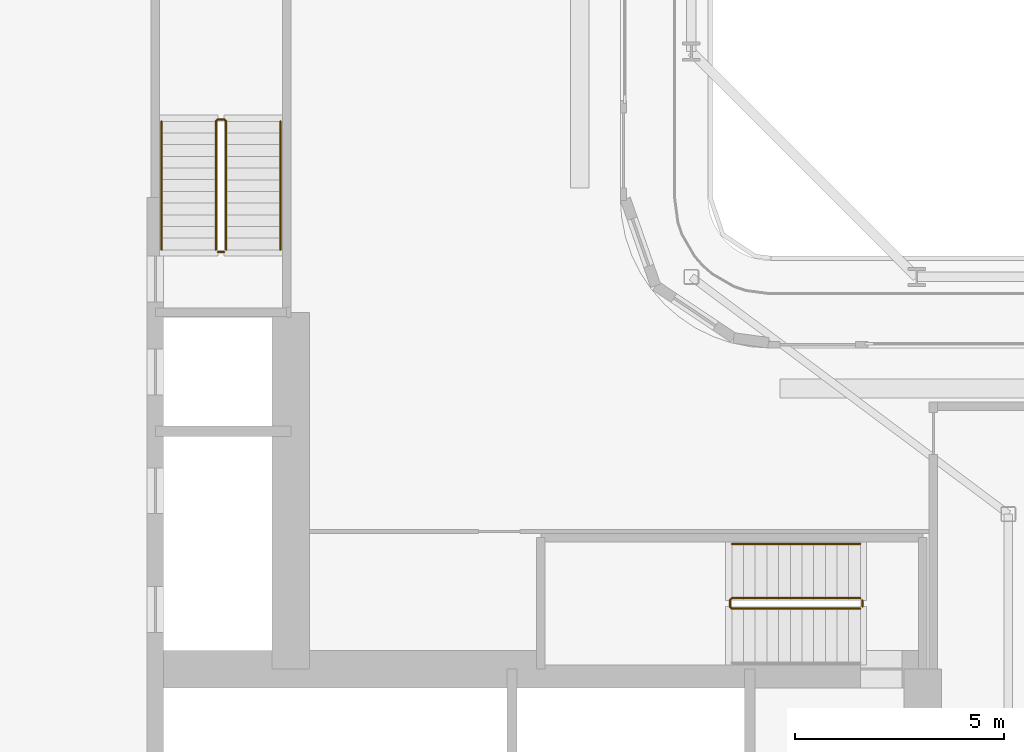
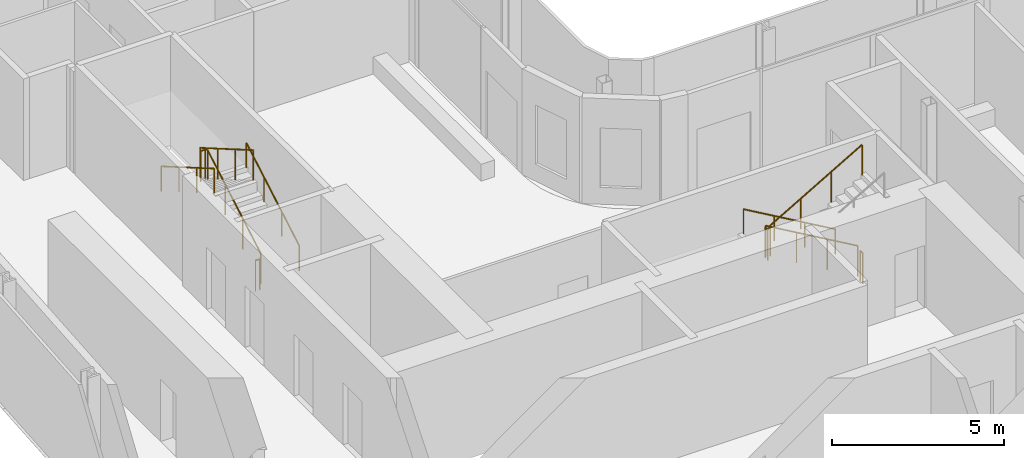
# One storey, part 24 of 29: 7 railings.
"""IFC4 building model written with IfcOpenShell, lengths in metres."""

from ifc_helpers import new_model, si_unit, direction, frame, origin, origin_2d, place, context, subcontext, project, spatial, circle, extrude, material, type_object, element, save


model = new_model("IFC4")

# Units and contexts
model_context = context("Model", 3, precision=1e-05, world=origin(), true_north=direction((0.0, 1.0)))
body_context = subcontext(model_context, "Body", "Model", "MODEL_VIEW")
ifc_project = project(units=[si_unit("LENGTHUNIT", "METRE"), si_unit("AREAUNIT", "SQUARE_METRE"), si_unit("VOLUMEUNIT", "CUBIC_METRE"), si_unit("PLANEANGLEUNIT", "RADIAN"), si_unit("MASSUNIT", "GRAM", prefix="KILO")], contexts=[model_context])

# Site, building, storey
site_placement = place(None, origin())
site = spatial("IfcSite", under=ifc_project, at=site_placement, CompositionType="ELEMENT")
building_placement = place(site_placement, origin())
building = spatial("IfcBuilding", under=site, at=building_placement, Name="Kheshtan School and Residences Tower", CompositionType="ELEMENT")
storey_placement = place(building_placement, frame((0.0, 0.0, 121.39990234375)))
storey = spatial("IfcBuildingStorey", under=building, at=storey_placement, Name="L28", CompositionType="ELEMENT", Elevation=121.39990234375)

# Railings
ifc_material_1 = material(Name="Stainless steel balustrade", Category="steel")
railing_type_1 = type_object("IfcRailingType", Name="Stair guard 1100", PredefinedType="GUARDRAIL", material=ifc_material_1)
railing_1_placement = place(storey_placement, frame((51.64990234375, 37.89990234375, 0.16259765625)))
element("IfcRailing", 1, at=railing_1_placement, inside=storey, type_object=railing_type_1, Name="L28 ST1 stair guard 1", PredefinedType="GUARDRAIL", context=body_context, shape_type="SweptSolid", body=[
    extrude(circle(Radius=0.02392578125, at=origin_2d()), frame((0.0, 0.0, 1.076171875), z_axis=(-0.864873446163, 0.0, 0.501989962173), x_axis=(0.0, -1.0, 0.0)), (0.0, 0.0, 1.0), 3.56103515625),
    extrude(circle(Radius=0.02392578125, at=origin_2d()), frame((-3.079833984375, 0.0, 2.86376953125), z_axis=(-0.708833529934, -0.705375805398, 0.0), x_axis=(0.705375805398, -0.708833529934, 0.0)), (0.0, 0.0, 1.0), 0.070556640625),
    extrude(circle(Radius=0.02392578125, at=origin_2d()), frame((-3.1298828125, -0.0498046875, 2.86376953125), z_axis=(0.0, -1.0, 0.0), x_axis=(1.0, 0.0, 0.0)), (0.0, 0.0, 1.0), 0.150146484375),
    extrude(circle(Radius=0.02392578125, at=origin_2d()), frame((-3.1298828125, -0.199951171875, 2.86376953125), z_axis=(0.282583949758, -0.282583949758, 0.916674763849), x_axis=(0.707106781187, 0.707106781187, 0.0)), (0.0, 0.0, 1.0), 0.177001953125),
    extrude(circle(Radius=0.02392578125, at=origin_2d()), frame((-3.079833984375, -0.25, 3.02587890625), z_axis=(0.864873446163, 0.0, 0.501989962173), x_axis=(0.0, 1.0, 0.0)), (0.0, 0.0, 1.0), 3.56103515625),
    extrude(circle(Radius=0.02099609375, at=origin_2d()), origin(), (0.0, 0.0, 1.0), 1.052001953125),
    extrude(circle(Radius=0.02099609375, at=origin_2d()), frame((-1.026611328125, 0.0, 0.595947265625)), (0.0, 0.0, 1.0), 1.052001953125),
    extrude(circle(Radius=0.02099609375, at=origin_2d()), frame((-2.05322265625, 0.0, 1.191650390625)), (0.0, 0.0, 1.0), 1.052001953125),
    extrude(circle(Radius=0.02099609375, at=origin_2d()), frame((-3.079833984375, 0.0, 1.78759765625)), (0.0, 0.0, 1.0), 1.052001953125),
    extrude(circle(Radius=0.02099609375, at=origin_2d()), frame((-3.1298828125, -0.0498046875, 1.78759765625)), (0.0, 0.0, 1.0), 1.052001953125),
    extrude(circle(Radius=0.02099609375, at=origin_2d()), frame((-3.1298828125, -0.199951171875, 1.78759765625)), (0.0, 0.0, 1.0), 1.052001953125),
    extrude(circle(Radius=0.02099609375, at=origin_2d()), frame((-3.079833984375, -0.25, 1.949951171875)), (0.0, 0.0, 1.0), 1.052001953125),
    extrude(circle(Radius=0.02099609375, at=origin_2d()), frame((-2.05322265625, -0.25, 2.5458984375)), (0.0, 0.0, 1.0), 1.052001953125),
    extrude(circle(Radius=0.02099609375, at=origin_2d()), frame((-1.026611328125, -0.25, 3.1416015625)), (0.0, 0.0, 1.0), 1.052001953125),
    extrude(circle(Radius=0.02099609375, at=origin_2d()), frame((0.0, -0.25, 3.737548828125)), (0.0, 0.0, 1.0), 1.052001953125),
])
railing_2_placement = place(storey_placement, frame((51.699951171875, 37.85009765625, 0.0)))
element("IfcRailing", 2, at=railing_2_placement, inside=storey, type_object=railing_type_1, Name="L28 ST1 stair guard 2", PredefinedType="GUARDRAIL", context=body_context, shape_type="SweptSolid", body=[
    extrude(circle(Radius=0.02392578125, at=origin_2d()), frame((0.0, 0.0, 1.076171875), z_axis=(0.0, -1.0, 0.0), x_axis=(1.0, 0.0, 0.0)), (0.0, 0.0, 1.0), 0.150146484375),
    extrude(circle(Radius=0.02099609375, at=origin_2d()), origin(), (0.0, 0.0, 1.0), 1.052001953125),
    extrude(circle(Radius=0.02099609375, at=origin_2d()), frame((0.0, -0.150146484375, 0.0)), (0.0, 0.0, 1.0), 1.052001953125),
])
railing_3_placement = place(storey_placement, frame((36.449951171875, 46.25, 0.16259765625)))
element("IfcRailing", 3, at=railing_3_placement, inside=storey, type_object=railing_type_1, Name="L28 ST2 stair guard 1", PredefinedType="GUARDRAIL", context=body_context, shape_type="SweptSolid", body=[
    extrude(circle(Radius=0.02392578125, at=origin_2d()), frame((0.0, 0.0, 1.076171875), z_axis=(0.0, 0.864890721111, 0.501960198159), x_axis=(-1.0, 0.0, 0.0)), (0.0, 0.0, 1.0), 3.561279296875),
    extrude(circle(Radius=0.02392578125, at=origin_2d()), frame((0.0, 3.080078125, 2.86376953125), z_axis=(-0.708833529934, 0.705375805398, 0.0), x_axis=(-0.705375805398, -0.708833529934, 0.0)), (0.0, 0.0, 1.0), 0.070556640625),
    extrude(circle(Radius=0.02392578125, at=origin_2d()), frame((-0.050048828125, 3.1298828125, 2.86376953125), z_axis=(-1.0, 0.0, 0.0), x_axis=(0.0, -1.0, 0.0)), (0.0, 0.0, 1.0), 0.14990234375),
    extrude(circle(Radius=0.02392578125, at=origin_2d()), frame((-0.199951171875, 3.1298828125, 2.86376953125), z_axis=(-0.282693820306, -0.281314826061, 0.917031173188), x_axis=(0.705375805398, -0.708833529934, 0.0)), (0.0, 0.0, 1.0), 0.177001953125),
    extrude(circle(Radius=0.02392578125, at=origin_2d()), frame((-0.25, 3.080078125, 3.02587890625), z_axis=(0.0, -0.864890721111, 0.501960198159), x_axis=(1.0, 0.0, 0.0)), (0.0, 0.0, 1.0), 3.561279296875),
    extrude(circle(Radius=0.02099609375, at=origin_2d()), origin(), (0.0, 0.0, 1.0), 1.052001953125),
    extrude(circle(Radius=0.02099609375, at=origin_2d()), frame((0.0, 1.026611328125, 0.595947265625)), (0.0, 0.0, 1.0), 1.052001953125),
    extrude(circle(Radius=0.02099609375, at=origin_2d()), frame((0.0, 2.053466796875, 1.191650390625)), (0.0, 0.0, 1.0), 1.052001953125),
    extrude(circle(Radius=0.02099609375, at=origin_2d()), frame((0.0, 3.080078125, 1.78759765625)), (0.0, 0.0, 1.0), 1.052001953125),
    extrude(circle(Radius=0.02099609375, at=origin_2d()), frame((-0.050048828125, 3.1298828125, 1.78759765625)), (0.0, 0.0, 1.0), 1.052001953125),
    extrude(circle(Radius=0.02099609375, at=origin_2d()), frame((-0.199951171875, 3.1298828125, 1.78759765625)), (0.0, 0.0, 1.0), 1.052001953125),
    extrude(circle(Radius=0.02099609375, at=origin_2d()), frame((-0.25, 3.080078125, 1.949951171875)), (0.0, 0.0, 1.0), 1.052001953125),
    extrude(circle(Radius=0.02099609375, at=origin_2d()), frame((-0.25, 2.053466796875, 2.5458984375)), (0.0, 0.0, 1.0), 1.052001953125),
    extrude(circle(Radius=0.02099609375, at=origin_2d()), frame((-0.25, 1.026611328125, 3.1416015625)), (0.0, 0.0, 1.0), 1.052001953125),
    extrude(circle(Radius=0.02099609375, at=origin_2d()), frame((-0.25, 0.0, 3.737548828125)), (0.0, 0.0, 1.0), 1.052001953125),
])
railing_4_placement = place(storey_placement, frame((36.39990234375, 46.199951171875, 0.0)))
element("IfcRailing", 4, at=railing_4_placement, inside=storey, type_object=railing_type_1, Name="L28 ST2 stair guard 2", PredefinedType="GUARDRAIL", context=body_context, shape_type="SweptSolid", body=[
    extrude(circle(Radius=0.02392578125, at=origin_2d()), frame((0.0, 0.0, 1.076171875), z_axis=(-1.0, 0.0, 0.0), x_axis=(0.0, -1.0, 0.0)), (0.0, 0.0, 1.0), 0.14990234375),
    extrude(circle(Radius=0.02099609375, at=origin_2d()), origin(), (0.0, 0.0, 1.0), 1.052001953125),
    extrude(circle(Radius=0.02099609375, at=origin_2d()), frame((-0.14990234375, 0.0, 0.0)), (0.0, 0.0, 1.0), 1.052001953125),
])
ifc_material_2 = material(Name="Stainless steel handrail", Category="steel")
railing_type_2 = type_object("IfcRailingType", Name="Stair handrail 900", PredefinedType="HANDRAIL", material=ifc_material_2)
railing_5_placement = place(storey_placement, frame((51.64990234375, 39.199951171875, 0.16259765625)))
element("IfcRailing", 5, at=railing_5_placement, inside=storey, type_object=railing_type_2, Name="L28 ST1 stair handrail 1", PredefinedType="HANDRAIL", context=body_context, shape_type="SweptSolid", body=[
    extrude(circle(Radius=0.02392578125, at=origin_2d()), frame((0.0, 0.0, 0.8759765625), z_axis=(-0.864873446163, 0.0, 0.501989962173), x_axis=(0.0, -1.0, 0.0)), (0.0, 0.0, 1.0), 3.56103515625),
    extrude(circle(Radius=0.02099609375, at=origin_2d()), origin(), (0.0, 0.0, 1.0), 0.851806640625),
    extrude(circle(Radius=0.02099609375, at=origin_2d()), frame((-1.026611328125, 0.0, 0.595947265625)), (0.0, 0.0, 1.0), 0.851806640625),
    extrude(circle(Radius=0.02099609375, at=origin_2d()), frame((-2.05322265625, 0.0, 1.191650390625)), (0.0, 0.0, 1.0), 0.851806640625),
    extrude(circle(Radius=0.02099609375, at=origin_2d()), frame((-3.079833984375, 0.0, 1.78759765625)), (0.0, 0.0, 1.0), 0.851806640625),
])
railing_6_placement = place(storey_placement, frame((37.75, 46.25, 0.16259765625)))
element("IfcRailing", 6, at=railing_6_placement, inside=storey, type_object=railing_type_2, Name="L28 ST2 stair handrail 1", PredefinedType="HANDRAIL", context=body_context, shape_type="SweptSolid", body=[
    extrude(circle(Radius=0.02392578125, at=origin_2d()), frame((0.0, 0.0, 0.8759765625), z_axis=(0.0, 0.864890721111, 0.501960198159), x_axis=(-1.0, 0.0, 0.0)), (0.0, 0.0, 1.0), 3.561279296875),
    extrude(circle(Radius=0.02099609375, at=origin_2d()), origin(), (0.0, 0.0, 1.0), 0.851806640625),
    extrude(circle(Radius=0.02099609375, at=origin_2d()), frame((0.0, 1.026611328125, 0.595947265625)), (0.0, 0.0, 1.0), 0.851806640625),
    extrude(circle(Radius=0.02099609375, at=origin_2d()), frame((0.0, 2.053466796875, 1.191650390625)), (0.0, 0.0, 1.0), 0.851806640625),
    extrude(circle(Radius=0.02099609375, at=origin_2d()), frame((0.0, 3.080078125, 1.78759765625)), (0.0, 0.0, 1.0), 0.851806640625),
])
railing_7_placement = place(storey_placement, frame((34.89990234375, 49.330078125, 2.112548828125)))
element("IfcRailing", 7, at=railing_7_placement, inside=storey, type_object=railing_type_2, Name="L28 ST2 stair handrail 2", PredefinedType="HANDRAIL", context=body_context, shape_type="SweptSolid", body=[
    extrude(circle(Radius=0.02392578125, at=origin_2d()), frame((0.0, 0.0, 0.8759765625), z_axis=(0.0, -0.864890721111, 0.501960198159), x_axis=(1.0, 0.0, 0.0)), (0.0, 0.0, 1.0), 3.561279296875),
    extrude(circle(Radius=0.02099609375, at=origin_2d()), origin(), (0.0, 0.0, 1.0), 0.851806640625),
    extrude(circle(Radius=0.02099609375, at=origin_2d()), frame((0.0, -1.026611328125, 0.595947265625)), (0.0, 0.0, 1.0), 0.851806640625),
    extrude(circle(Radius=0.02099609375, at=origin_2d()), frame((0.0, -2.053466796875, 1.191650390625)), (0.0, 0.0, 1.0), 0.851806640625),
    extrude(circle(Radius=0.02099609375, at=origin_2d()), frame((0.0, -3.080078125, 1.78759765625)), (0.0, 0.0, 1.0), 0.851806640625),
])

save(model, "model.ifc")
